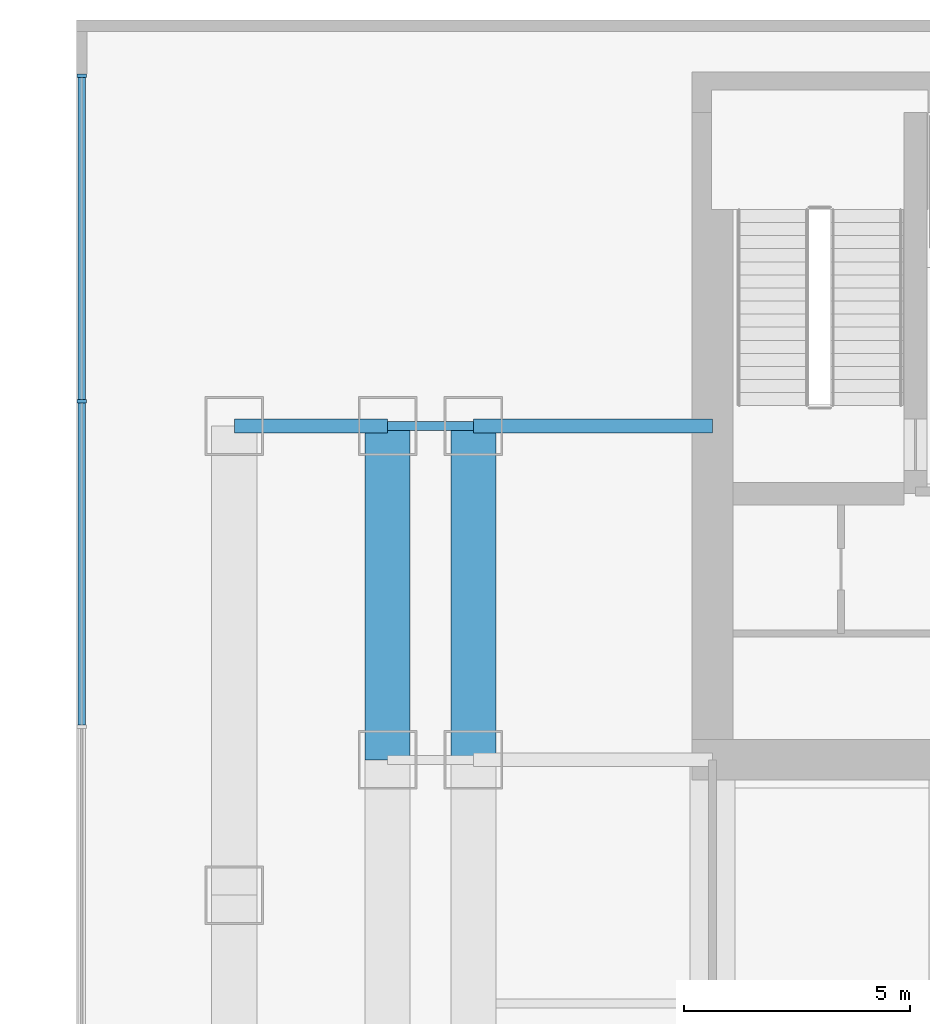
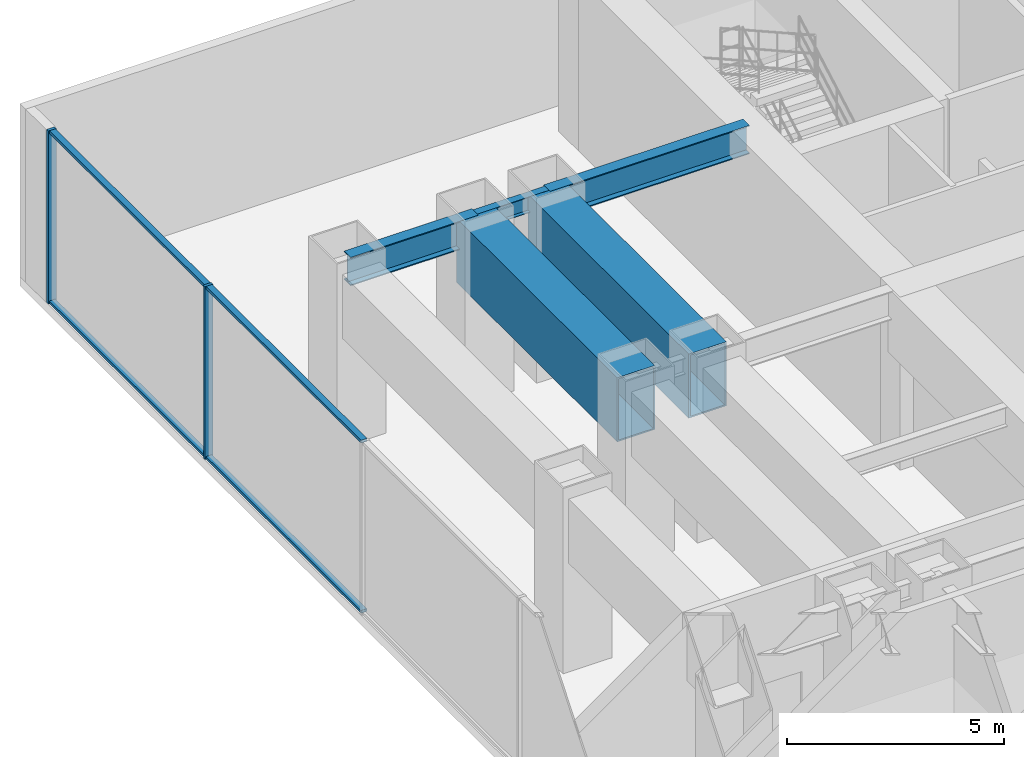
# One storey, part 5 of 12: 6 members, 5 beams, 1 element without a shape of its own.
"""IFC4 building model written with IfcOpenShell, lengths in metres."""

from ifc_helpers import new_model, si_unit, direction, frame, origin, origin_2d, place, context, subcontext, project, spatial, rectangle, hollow_rectangle, i_section, extrude, source, transform, mapped, material, layer, layer_set, material_profile, profile_set, type_object, element, aggregate, save


model = new_model("IFC4")

# Units and contexts
model_context = context("Model", 3, precision=1e-05, world=origin(), true_north=direction((0.0, 1.0)))
body_context = subcontext(model_context, "Body", "Model", "MODEL_VIEW")
ifc_project = project(units=[si_unit("LENGTHUNIT", "METRE"), si_unit("AREAUNIT", "SQUARE_METRE"), si_unit("VOLUMEUNIT", "CUBIC_METRE"), si_unit("PLANEANGLEUNIT", "RADIAN"), si_unit("MASSUNIT", "GRAM", prefix="KILO")], contexts=[model_context])

# Site, building, storey
site_placement = place(None, origin())
site = spatial("IfcSite", under=ifc_project, at=site_placement, CompositionType="ELEMENT")
building_placement = place(site_placement, origin())
building = spatial("IfcBuilding", under=site, at=building_placement, Name="Qianlan Lanfeng Residences", CompositionType="ELEMENT")
storey_placement = place(building_placement, frame((0.0, 0.0, 19.0)))
storey = spatial("IfcBuildingStorey", under=building, at=storey_placement, Name="L04", CompositionType="ELEMENT", Elevation=19.0)

# Beams
ifc_material_1 = material(Name="Steel SN490B", Category="steel")
ifc_material_profile_1 = material_profile(ifc_material_1, i_section(OverallWidth=0.300048828125, OverallDepth=0.800048828125, WebThickness=0.01611328125, FlangeThickness=0.028076171875, at=origin_2d()), Name="H 800x300x16x28")
ifc_profile_set_1 = profile_set([ifc_material_profile_1], Name="Steel SN490B")
beam_type_1 = type_object("IfcBeamType", Name="G-950", PredefinedType="BEAM", material=ifc_profile_set_1)
beam_1_placement = place(storey_placement, frame((0.0, 32.60009765625, 4.4599609375), z_axis=(1.0, 0.0, 0.0), x_axis=(0.0, 1.0, 0.0)))
element("IfcBeam", 1, at=beam_1_placement, inside=storey, type_object=beam_type_1, Name="Structural beam G-950", PredefinedType="BEAM", context=body_context, shape_type="SweptSolid", body=[
    extrude(i_section(OverallWidth=0.300048828125, OverallDepth=0.800048828125, WebThickness=0.01611328125, FlangeThickness=0.028076171875, at=origin_2d()), origin(), (0.0, 0.0, 1.0), 3.39990234375),
])
beam_2_placement = place(storey_placement, frame((5.300048828125, 32.60009765625, 4.4599609375), z_axis=(1.0, 0.0, 0.0), x_axis=(0.0, 1.0, 0.0)))
element("IfcBeam", 2, at=beam_2_placement, inside=storey, type_object=beam_type_1, Name="Structural beam G-950", PredefinedType="BEAM", context=body_context, shape_type="SweptSolid", body=[
    extrude(i_section(OverallWidth=0.300048828125, OverallDepth=0.800048828125, WebThickness=0.01611328125, FlangeThickness=0.028076171875, at=origin_2d()), origin(), (0.0, 0.0, 1.0), 5.300048828125),
])
ifc_material_profile_2 = material_profile(ifc_material_1, i_section(OverallWidth=0.199951171875, OverallDepth=0.449951171875, WebThickness=0.009033203125, FlangeThickness=0.013916015625, at=origin_2d()), Name="H 450x200x9x14")
ifc_profile_set_2 = profile_set([ifc_material_profile_2], Name="Steel SN490B")
beam_type_2 = type_object("IfcBeamType", Name="J-450", PredefinedType="JOIST", material=ifc_profile_set_2)
beam_3_placement = place(storey_placement, frame((3.39990234375, 32.60009765625, 4.635009765625), z_axis=(1.0, 0.0, 0.0), x_axis=(0.0, 1.0, 0.0)))
element("IfcBeam", 3, at=beam_3_placement, inside=storey, type_object=beam_type_2, Name="Structural beam J-450", PredefinedType="JOIST", context=body_context, shape_type="SweptSolid", body=[
    extrude(i_section(OverallWidth=0.199951171875, OverallDepth=0.449951171875, WebThickness=0.009033203125, FlangeThickness=0.013916015625, at=origin_2d()), origin(), (0.0, 0.0, 1.0), 1.900146484375),
])
ifc_material_2 = material(Name="Steel SM570 (420 MPa)", Category="steel")
ifc_material_profile_3 = material_profile(ifc_material_2, hollow_rectangle(XDim=1.0, YDim=1.800048828125, WallThickness=0.0400390625, at=origin_2d()), Name="BOX 1800x1000x40")
ifc_profile_set_3 = profile_set([ifc_material_profile_3], Name="Steel SM570 (420 MPa)")
beam_type_3 = type_object("IfcBeamType", Name="TG-2000", PredefinedType="BEAM", material=ifc_profile_set_3)
for number, where, z_axis, x_axis, name in (
    (4, (3.39990234375, 25.199951171875, 3.9599609375), (0.0, 1.0, 0.0), (-1.0, 0.0, 0.0), "Structural beam TG-2000"),
    (5, (5.300048828125, 25.199951171875, 3.9599609375), (0.0, 1.0, 0.0), (-1.0, 0.0, 0.0), "Structural beam TG-2000"),
):
    element("IfcBeam", number, at=place(storey_placement, frame(where, z_axis=z_axis, x_axis=x_axis)), inside=storey, type_object=beam_type_3, Name=name, PredefinedType="BEAM", context=body_context, shape_type="SweptSolid", body=[
        extrude(hollow_rectangle(XDim=1.0, YDim=1.800048828125, WallThickness=0.0400390625, at=origin_2d()), origin(), (0.0, 0.0, 1.0), 7.400146484375),
    ])

# Curtain wall, members
ifc_material_3 = material(Name="Anodised Bronze Aluminium 6063-T6", Category="aluminium")
ifc_layer = layer(ifc_material_3, 0.219970703125)
ifc_layer_set = layer_set([ifc_layer], Name="Anodised Bronze Aluminium 6063-T6")
curtain_wall_type = type_object("IfcCurtainWallType", Name="CW-01", PredefinedType="NOTDEFINED", material=ifc_layer_set)
curtain_wall_placement = place(storey_placement, origin())
curtain_wall = element("IfcCurtainWall", 6, at=curtain_wall_placement, inside=storey, type_object=curtain_wall_type, Name="L04 Unitised Curtain Wall CWR-L04-W (CW-01)", PredefinedType="NOTDEFINED")
ifc_material_profile_4 = material_profile(ifc_material_3, rectangle(XDim=0.080078125, YDim=0.2099609375, at=origin_2d()), Name="ALU MULLION 80x210")
ifc_profile_set_4 = profile_set([ifc_material_profile_4], Name="Anodised Bronze Aluminium 6063-T6")
member_type_1 = type_object("IfcMemberType", Name="CWM-220", PredefinedType="MULLION", material=ifc_profile_set_4)
shared_shape_1 = source(origin(), body_context, "Body", "SweptSolid", [
    extrude(rectangle(XDim=0.080078125, YDim=0.2099609375, at=origin_2d()), origin(), (0.0, 0.0, 1.0), 4.860107421875),
])
member_1_placement = place(storey_placement, frame((-3.3798828125, 40.360107421875, 0.0), z_axis=(0.0, 0.0, 1.0), x_axis=(0.0, -1.0, 0.0)))
member_1 = element("IfcMember", 7, at=member_1_placement, type_object=member_type_1, Name="CWR-L04-W Mullion 1", PredefinedType="MULLION", context=body_context, shape_type="MappedRepresentation", body=[
    mapped(shared_shape_1, transform((0.0, 0.0, 0.0), scale=1.0)),
])
member_2_placement = place(storey_placement, frame((-3.3798828125, 33.146728515625, 0.0), z_axis=(0.0, 0.0, 1.0), x_axis=(0.0, -1.0, 0.0)))
member_2 = element("IfcMember", 8, at=member_2_placement, type_object=member_type_1, Name="CWR-L04-W Mullion 2", PredefinedType="MULLION", context=body_context, shape_type="MappedRepresentation", body=[
    mapped(shared_shape_1, transform((0.0, 0.0, 0.0), scale=1.0)),
])
ifc_material_profile_5 = material_profile(ifc_material_3, rectangle(XDim=0.080078125, YDim=0.159912109375, at=origin_2d()), Name="ALU TRANSOM 80x160")
ifc_profile_set_5 = profile_set([ifc_material_profile_5], Name="Anodised Bronze Aluminium 6063-T6")
member_type_2 = type_object("IfcMemberType", Name="CWT-180", PredefinedType="USERDEFINED", material=ifc_profile_set_5)
shared_shape_2 = source(origin(), body_context, "Body", "SweptSolid", [
    extrude(rectangle(XDim=0.080078125, YDim=0.159912109375, at=origin_2d()), origin(), (0.0, 0.0, 1.0), 7.13330078125),
])
member_3_placement = place(storey_placement, frame((-3.3798828125, 40.320068359375, 0.0400390625), z_axis=(0.0, -1.0, 0.0), x_axis=(0.0, 0.0, 1.0)))
member_3 = element("IfcMember", 9, at=member_3_placement, type_object=member_type_2, Name="CWR-L04-W Transom 1-BOT", ObjectType="TRANSOM", PredefinedType="USERDEFINED", context=body_context, shape_type="MappedRepresentation", body=[
    mapped(shared_shape_2, transform((0.0, 0.0, 0.0), scale=1.0)),
])
member_4_placement = place(storey_placement, frame((-3.3798828125, 40.320068359375, 4.820068359375), z_axis=(0.0, -1.0, 0.0), x_axis=(0.0, 0.0, 1.0)))
member_4 = element("IfcMember", 10, at=member_4_placement, type_object=member_type_2, Name="CWR-L04-W Transom 1-TOP", ObjectType="TRANSOM", PredefinedType="USERDEFINED", context=body_context, shape_type="MappedRepresentation", body=[
    mapped(shared_shape_2, transform((0.0, 0.0, 0.0), scale=1.0)),
])
member_5_placement = place(storey_placement, frame((-3.3798828125, 33.106689453125, 0.0400390625), z_axis=(0.0, -1.0, 0.0), x_axis=(0.0, 0.0, 1.0)))
member_5 = element("IfcMember", 11, at=member_5_placement, type_object=member_type_2, Name="CWR-L04-W Transom 2-BOT", ObjectType="TRANSOM", PredefinedType="USERDEFINED", context=body_context, shape_type="MappedRepresentation", body=[
    mapped(shared_shape_2, transform((0.0, 0.0, 0.0), scale=1.0)),
])
member_6_placement = place(storey_placement, frame((-3.3798828125, 33.106689453125, 4.820068359375), z_axis=(0.0, -1.0, 0.0), x_axis=(0.0, 0.0, 1.0)))
member_6 = element("IfcMember", 12, at=member_6_placement, type_object=member_type_2, Name="CWR-L04-W Transom 2-TOP", ObjectType="TRANSOM", PredefinedType="USERDEFINED", context=body_context, shape_type="MappedRepresentation", body=[
    mapped(shared_shape_2, transform((0.0, 0.0, 0.0), scale=1.0)),
])
aggregate(curtain_wall, [member_1, member_2, member_3, member_4, member_5, member_6])

save(model, "model.ifc")
